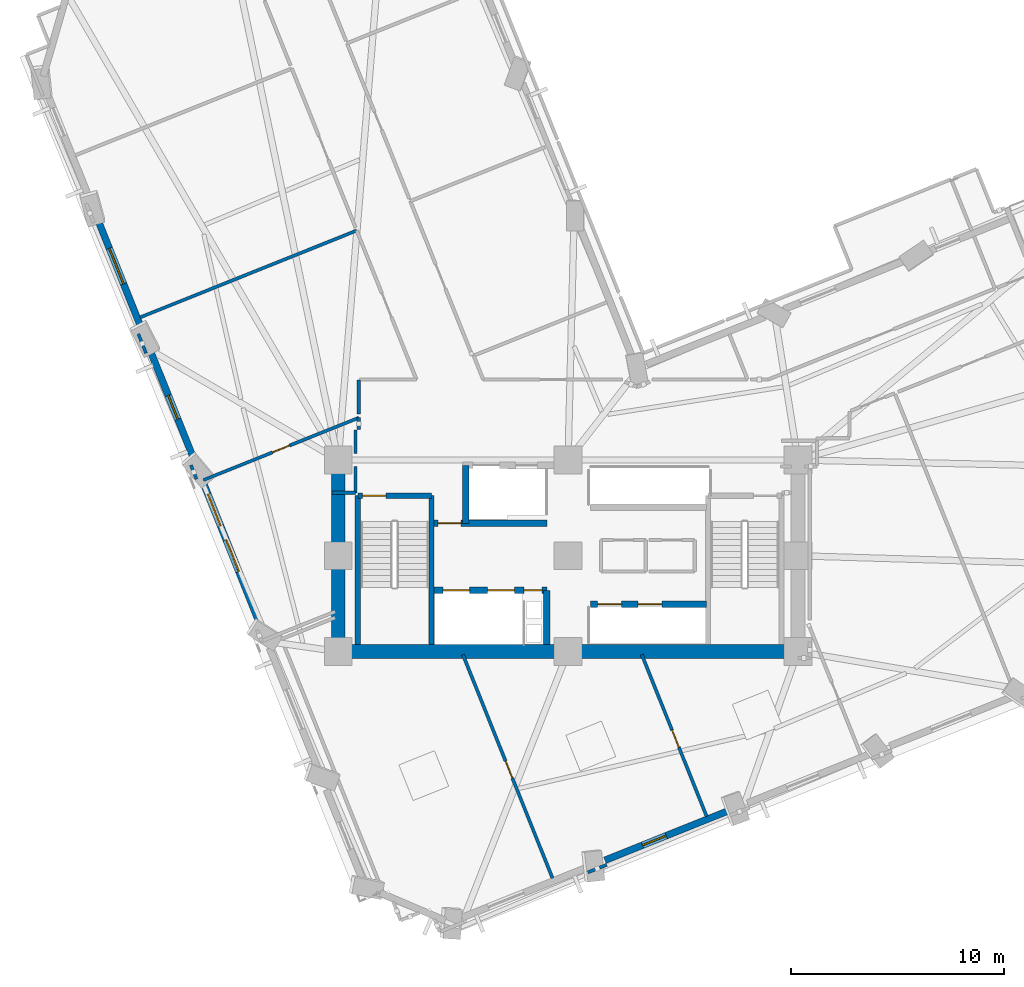
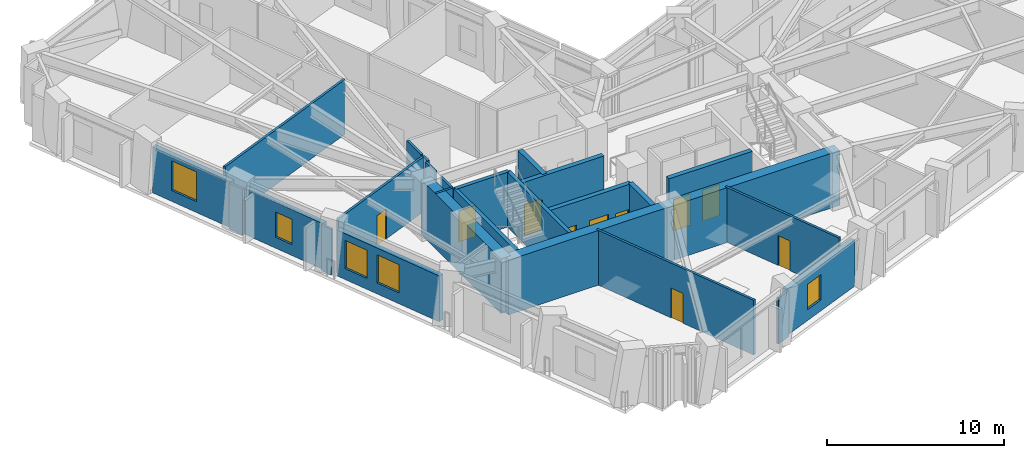
# One storey, part 8 of 16: 27 walls, 10 doors, 5 windows, 15 openings.
"""IFC4 building model written with IfcOpenShell, lengths in metres."""

from ifc_helpers import new_model, si_unit, direction, frame, frame_2d, origin, place, context, subcontext, project, spatial, rectangle, extrude, material, layer, layer_set, type_object, element, fill, save


model = new_model("IFC4")

# Units and contexts
model_context = context("Model", 3, precision=1e-05, world=origin(), true_north=direction((0.0, 1.0)))
body_context = subcontext(model_context, "Body", "Model", "MODEL_VIEW")
ifc_project = project(units=[si_unit("LENGTHUNIT", "METRE"), si_unit("AREAUNIT", "SQUARE_METRE"), si_unit("VOLUMEUNIT", "CUBIC_METRE"), si_unit("PLANEANGLEUNIT", "RADIAN"), si_unit("MASSUNIT", "GRAM", prefix="KILO")], contexts=[model_context])

# Site, building, storey
site_placement = place(None, origin())
site = spatial("IfcSite", under=ifc_project, at=site_placement, CompositionType="ELEMENT")
building_placement = place(site_placement, origin())
building = spatial("IfcBuilding", under=site, at=building_placement, Name="Gaonmaruhae Medical Tower", CompositionType="ELEMENT")
storey_placement = place(building_placement, frame((0.0, 0.0, 116.39990234375)))
storey = spatial("IfcBuildingStorey", under=building, at=storey_placement, Name="L27", CompositionType="ELEMENT", Elevation=116.39990234375)

# Walls
ifc_material_1 = material(Name="Concrete C60/75", Category="concrete")
ifc_layer_1 = layer(ifc_material_1, 0.64990234375)
ifc_layer_set_1 = layer_set([ifc_layer_1], Name="Concrete C60/75")
wall_type_1 = type_object("IfcWallType", Name="CW-650 Zone 2 Core Shear Wall", PredefinedType="SHEAR", material=ifc_layer_set_1)
for number, where, z_axis, x_axis, name in (
    (1, (14.0, 7.800048828125, 0.0), (0.0, 0.0, 1.0), (1.0, 0.0, 0.0), "L27 Core Shear Wall CSW-S1"),
    (2, (24.800048828125, 7.800048828125, 0.0), (0.0, 0.0, 1.0), (1.0, 0.0, 0.0), "L27 Core Shear Wall CSW-S2"),
):
    element("IfcWall", number, at=place(storey_placement, frame(where, z_axis=z_axis, x_axis=x_axis)), inside=storey, type_object=wall_type_1, Name=name, PredefinedType="SHEAR", context=body_context, shape_type="SweptSolid", body=[
        extrude(rectangle(XDim=10.800048828125, YDim=0.64990234375, at=frame_2d((5.39990234375, 0.0))), origin(), (0.0, 0.0, 1.0), 3.780029296875),
    ])
wall_1_placement = place(storey_placement, frame((14.0, 16.800048828125, 0.0), z_axis=(0.0, 0.0, 1.0), x_axis=(0.0, -1.0, 0.0)))
element("IfcWall", 3, at=wall_1_placement, inside=storey, type_object=wall_type_1, Name="L27 Core Shear Wall CSW-W1", PredefinedType="SHEAR", context=body_context, shape_type="SweptSolid", body=[
    extrude(rectangle(XDim=9.0, YDim=0.64990234375, at=frame_2d((4.5, 0.0))), origin(), (0.0, 0.0, 1.0), 3.780029296875),
])

# Wall, opening, window
ifc_material_2 = material(Name="Precast concrete C45/55", Category="concrete")
ifc_layer_2 = layer(ifc_material_2, 0.320068359375)
ifc_layer_set_2 = layer_set([ifc_layer_2], Name="Precast concrete C45/55")
wall_type_2 = type_object("IfcWallType", Name="EW-320 Lower Precast Masonry-Frame Facade Wall", PredefinedType="SOLIDWALL", material=ifc_layer_set_2)
wall_2_placement = place(storey_placement, frame((32.31689453125, 0.313232421875, 0.0), z_axis=(0.0, 0.0, 1.0), x_axis=(-0.928171186304, -0.372153528688, 0.0)))
wall_2 = element("IfcWall", 4, at=wall_2_placement, inside=storey, type_object=wall_type_2, Name="L27 Precast Masonry-Frame Wall S02-S03", PredefinedType="SOLIDWALL", context=body_context, shape_type="SweptSolid", body=[
    extrude(rectangle(XDim=6.234130859375, YDim=0.320068359375, at=frame_2d((3.1171875, 0.0))), origin(), (0.0, 0.0, 1.0), 3.1650390625),
])
opening_1_placement = place(wall_2_placement, frame((3.13232421875, 0.0, 0.75)))
opening_1 = element("IfcOpeningElement", 5, at=opening_1_placement, cuts=wall_2, Name="Opening WN-05", PredefinedType="OPENING", context=body_context, shape_type="SweptSolid", body=[
    extrude(rectangle(XDim=1.199951171875, YDim=1.75, at=frame_2d((0.60009765625, 0.875))), frame((0.0, 0.169921875, 0.0), z_axis=(0.0, -1.0, 0.0), x_axis=(1.0, 0.0, 0.0)), (0.0, 0.0, 1.0), 0.340087890625),
])
ifc_material_3 = material(Name="Anodised aluminium and Low-E double glazing", Category="aluminium")
window_type_1 = type_object("IfcWindowType", Name="WN-05 Support & Staff Punched Window 1200x1750", PartitioningType="SINGLE_PANEL", PredefinedType="WINDOW", material=ifc_material_3)
window_1_placement = place(opening_1_placement, origin())
window_1 = element("IfcWindow", 6, at=window_1_placement, inside=storey, type_object=window_type_1, Name="L27 Modular Facade Window S02", OverallHeight=1.75, OverallWidth=1.199951171875, PartitioningType="SINGLE_PANEL", PredefinedType="WINDOW", context=body_context, shape_type="SweptSolid", body=[
    extrude(rectangle(XDim=1.199951171875, YDim=1.75, at=frame_2d((0.60009765625, 0.875))), frame((0.0, 0.030029296875, 0.0), z_axis=(0.0, -1.0, 0.0), x_axis=(1.0, 0.0, 0.0)), (0.0, 0.0, 1.0), 0.06005859375),
])
fill(opening_1, window_1)

wall_3_placement = place(storey_placement, frame((4.8232421875, 22.810302734375, 0.0), z_axis=(0.0, 0.0, 1.0), x_axis=(-0.372175910941, 0.928162211747, 0.0)))
wall_3 = element("IfcWall", 7, at=wall_3_placement, inside=storey, type_object=wall_type_2, Name="L27 Precast Masonry-Frame Wall W02-W03", PredefinedType="SOLIDWALL", context=body_context, shape_type="SweptSolid", body=[
    extrude(rectangle(XDim=5.627685546875, YDim=0.320068359375, at=frame_2d((2.81396484375, 0.0))), origin(), (0.0, 0.0, 1.0), 3.1650390625),
])
opening_2_placement = place(wall_3_placement, frame((2.4384765625, 0.0, 0.75)))
opening_2 = element("IfcOpeningElement", 8, at=opening_2_placement, cuts=wall_3, Name="Opening WN-04", PredefinedType="OPENING", context=body_context, shape_type="SweptSolid", body=[
    extrude(rectangle(XDim=1.800048828125, YDim=2.050048828125, at=frame_2d((0.89990234375, 1.02490234375))), frame((0.0, 0.169921875, 0.0), z_axis=(0.0, -1.0, 0.0), x_axis=(1.0, 0.0, 0.0)), (0.0, 0.0, 1.0), 0.340087890625),
])
window_type_2 = type_object("IfcWindowType", Name="WN-04 Clinic & Consult Punched Window 1800x2050", PartitioningType="SINGLE_PANEL", PredefinedType="WINDOW", material=ifc_material_3)
window_2_placement = place(opening_2_placement, origin())
window_2 = element("IfcWindow", 9, at=window_2_placement, inside=storey, type_object=window_type_2, Name="L27 Modular Facade Window W02", OverallHeight=2.050048828125, OverallWidth=1.800048828125, PartitioningType="SINGLE_PANEL", PredefinedType="WINDOW", context=body_context, shape_type="SweptSolid", body=[
    extrude(rectangle(XDim=1.800048828125, YDim=2.050048828125, at=frame_2d((0.89990234375, 1.02490234375))), frame((0.0, 0.030029296875, 0.0), z_axis=(0.0, -1.0, 0.0), x_axis=(1.0, 0.0, 0.0)), (0.0, 0.0, 1.0), 0.06005859375),
])
fill(opening_2, window_2)

wall_4_placement = place(storey_placement, frame((7.29638671875, 16.642578125, 0.0), z_axis=(0.0, 0.0, 1.0), x_axis=(-0.372178527246, 0.928161162653, 0.0)))
wall_4 = element("IfcWall", 10, at=wall_4_placement, inside=storey, type_object=wall_type_2, Name="L27 Precast Masonry-Frame Wall W03-W04", PredefinedType="SOLIDWALL", context=body_context, shape_type="SweptSolid", body=[
    extrude(rectangle(XDim=5.662353515625, YDim=0.320068359375, at=frame_2d((2.8310546875, 0.0))), origin(), (0.0, 0.0, 1.0), 3.1650390625),
])
opening_3_placement = place(wall_4_placement, frame((2.22998046875, 0.0, 0.75)))
opening_3 = element("IfcOpeningElement", 11, at=opening_3_placement, cuts=wall_4, Name="Opening WN-05", PredefinedType="OPENING", context=body_context, shape_type="SweptSolid", body=[
    extrude(rectangle(XDim=1.199951171875, YDim=1.75, at=frame_2d((0.60009765625, 0.875))), frame((0.0, 0.169921875, 0.0), z_axis=(0.0, -1.0, 0.0), x_axis=(1.0, 0.0, 0.0)), (0.0, 0.0, 1.0), 0.340087890625),
])
window_3_placement = place(opening_3_placement, origin())
window_3 = element("IfcWindow", 12, at=window_3_placement, inside=storey, type_object=window_type_1, Name="L27 Modular Facade Window W03", OverallHeight=1.75, OverallWidth=1.199951171875, PartitioningType="SINGLE_PANEL", PredefinedType="WINDOW", context=body_context, shape_type="SweptSolid", body=[
    extrude(rectangle(XDim=1.199951171875, YDim=1.75, at=frame_2d((0.60009765625, 0.875))), frame((0.0, 0.030029296875, 0.0), z_axis=(0.0, -1.0, 0.0), x_axis=(1.0, 0.0, 0.0)), (0.0, 0.0, 1.0), 0.06005859375),
])
fill(opening_3, window_3)

# Wall, openings, windows
wall_5_placement = place(storey_placement, frame((10.40478515625, 8.890380859375, 0.0), z_axis=(0.0, 0.0, 1.0), x_axis=(-0.372168327293, 0.928165252614, 0.0)))
wall_5 = element("IfcWall", 13, at=wall_5_placement, inside=storey, type_object=wall_type_2, Name="L27 Precast Masonry-Frame Wall W04-W05", PredefinedType="SOLIDWALL", context=body_context, shape_type="SweptSolid", body=[
    extrude(rectangle(XDim=7.3603515625, YDim=0.320068359375, at=frame_2d((3.68017578125, 0.0))), origin(), (0.0, 0.0, 1.0), 3.1650390625),
])
opening_4_placement = place(wall_5_placement, frame((2.880859375, 0.0, 0.75)))
opening_4 = element("IfcOpeningElement", 14, at=opening_4_placement, cuts=wall_5, Name="Opening WN-01", PredefinedType="OPENING", context=body_context, shape_type="SweptSolid", body=[
    extrude(rectangle(XDim=1.60009765625, YDim=1.949951171875, at=frame_2d((0.800048828125, 0.97509765625))), frame((0.0, 0.169921875, 0.0), z_axis=(0.0, -1.0, 0.0), x_axis=(1.0, 0.0, 0.0)), (0.0, 0.0, 1.0), 0.340087890625),
])
opening_5_placement = place(wall_5_placement, frame((5.185546875, 0.0, 0.75)))
opening_5 = element("IfcOpeningElement", 15, at=opening_5_placement, cuts=wall_5, Name="Opening WN-01", PredefinedType="OPENING", context=body_context, shape_type="SweptSolid", body=[
    extrude(rectangle(XDim=1.60009765625, YDim=1.949951171875, at=frame_2d((0.800048828125, 0.97509765625))), frame((0.0, 0.169921875, 0.0), z_axis=(0.0, -1.0, 0.0), x_axis=(1.0, 0.0, 0.0)), (0.0, 0.0, 1.0), 0.340087890625),
])
window_type_3 = type_object("IfcWindowType", Name="WN-01 Ward Punched Acoustic Window 1600x1950", PartitioningType="SINGLE_PANEL", PredefinedType="WINDOW", material=ifc_material_3)
window_4_placement = place(opening_4_placement, origin())
window_4 = element("IfcWindow", 16, at=window_4_placement, inside=storey, type_object=window_type_3, Name="L27 Modular Facade Window W04", OverallHeight=1.949951171875, OverallWidth=1.60009765625, PartitioningType="SINGLE_PANEL", PredefinedType="WINDOW", context=body_context, shape_type="SweptSolid", body=[
    extrude(rectangle(XDim=1.60009765625, YDim=1.949951171875, at=frame_2d((0.800048828125, 0.97509765625))), frame((0.0, 0.030029296875, 0.0), z_axis=(0.0, -1.0, 0.0), x_axis=(1.0, 0.0, 0.0)), (0.0, 0.0, 1.0), 0.06005859375),
])
fill(opening_4, window_4)
window_5_placement = place(opening_5_placement, origin())
window_5 = element("IfcWindow", 17, at=window_5_placement, inside=storey, type_object=window_type_3, Name="L27 Modular Facade Window W04B", OverallHeight=1.949951171875, OverallWidth=1.60009765625, PartitioningType="SINGLE_PANEL", PredefinedType="WINDOW", context=body_context, shape_type="SweptSolid", body=[
    extrude(rectangle(XDim=1.60009765625, YDim=1.949951171875, at=frame_2d((0.800048828125, 0.97509765625))), frame((0.0, 0.030029296875, 0.0), z_axis=(0.0, -1.0, 0.0), x_axis=(1.0, 0.0, 0.0)), (0.0, 0.0, 1.0), 0.06005859375),
])
fill(opening_5, window_5)

# Wall, opening, door
ifc_material_4 = material(Name="Gypsum board partition", Category="gypsum")
ifc_layer_3 = layer(ifc_material_4, 0.14990234375)
ifc_layer_set_3 = layer_set([ifc_layer_3], Name="Gypsum board partition")
wall_type_3 = type_object("IfcWallType", Name="PW-150 Rated Clinical Corridor Partition", PredefinedType="PARTITIONING", material=ifc_layer_set_3)
wall_6_placement = place(storey_placement, frame((19.860107421875, 7.65087890625, 0.0), z_axis=(0.0, 0.0, 1.0), x_axis=(0.372186898662, -0.928157805798, 0.0)))
wall_6 = element("IfcWall", 18, at=wall_6_placement, inside=storey, type_object=wall_type_3, Name="L27 Interior Partition L27-SUP01-11", PredefinedType="PARTITIONING", context=body_context, shape_type="SweptSolid", body=[
    extrude(rectangle(XDim=11.3115234375, YDim=0.14990234375, at=frame_2d((5.65576171875, 0.0))), origin(), (0.0, 0.0, 1.0), 3.780029296875),
])
opening_6_placement = place(wall_6_placement, frame((5.3876953125, 0.0, 0.0)))
opening_6 = element("IfcOpeningElement", 19, at=opening_6_placement, cuts=wall_6, Name="Opening AD-01", PredefinedType="OPENING", context=body_context, shape_type="SweptSolid", body=[
    extrude(rectangle(XDim=0.860107421875, YDim=2.06005859375, at=frame_2d((0.43017578125, 1.030029296875))), frame((0.0, 0.0849609375, 0.0), z_axis=(0.0, -1.0, 0.0), x_axis=(1.0, 0.0, 0.0)), (0.0, 0.0, 1.0), 0.169921875),
])
ifc_material_5 = material(Name="Powder-coated steel access door", Category="steel")
door_type_1 = type_object("IfcDoorType", Name="AD-01 Riser & Closet Access Fire Door 860x2060", OperationType="NOTDEFINED", PredefinedType="DOOR", material=ifc_material_5)
door_1_placement = place(opening_6_placement, origin())
door_1 = element("IfcDoor", 20, at=door_1_placement, inside=storey, type_object=door_type_1, Name="L27 Clinical Biomedical Charting Office Sliding Door", OperationType="SLIDING_TO_LEFT", OverallHeight=2.06005859375, OverallWidth=0.860107421875, PredefinedType="DOOR", context=body_context, shape_type="SweptSolid", body=[
    extrude(rectangle(XDim=0.860107421875, YDim=2.06005859375, at=frame_2d((0.43017578125, 1.030029296875))), frame((0.0, 0.02490234375, 0.0), z_axis=(0.0, -1.0, 0.0), x_axis=(1.0, 0.0, 0.0)), (0.0, 0.0, 1.0), 0.050048828125),
])
fill(opening_6, door_1)

# Wall
wall_7_placement = place(storey_placement, frame((26.615966796875, -2.219970703125, 0.0), z_axis=(0.0, 0.0, 1.0), x_axis=(-0.927838444598, -0.372982332996, 0.0)))
element("IfcWall", 21, at=wall_7_placement, inside=storey, type_object=wall_type_3, Name="L27 Interior Partition L27-SUP02-15", PredefinedType="PARTITIONING", context=body_context, shape_type="SweptSolid", body=[
    extrude(rectangle(XDim=0.95166015625, YDim=0.14990234375, at=frame_2d((0.475830078125, 0.0))), origin(), (0.0, 0.0, 1.0), 3.1650390625),
])

# Wall, opening, door
wall_8_placement = place(storey_placement, frame((28.263916015625, 7.65087890625, 0.0), z_axis=(0.0, 0.0, 1.0), x_axis=(0.372208328406, -0.928149212285, 0.0)))
wall_8 = element("IfcWall", 22, at=wall_8_placement, inside=storey, type_object=wall_type_3, Name="L27 Interior Partition L27-SUP02-16", PredefinedType="PARTITIONING", context=body_context, shape_type="SweptSolid", body=[
    extrude(rectangle(XDim=8.18408203125, YDim=0.14990234375, at=frame_2d((4.092041015625, 0.0))), origin(), (0.0, 0.0, 1.0), 3.780029296875),
])
opening_7_placement = place(wall_8_placement, frame((3.82373046875, 0.0, 0.0)))
opening_7 = element("IfcOpeningElement", 23, at=opening_7_placement, cuts=wall_8, Name="Opening AD-01", PredefinedType="OPENING", context=body_context, shape_type="SweptSolid", body=[
    extrude(rectangle(XDim=0.860107421875, YDim=2.06005859375, at=frame_2d((0.43017578125, 1.030029296875))), frame((0.0, 0.0849609375, 0.0), z_axis=(0.0, -1.0, 0.0), x_axis=(1.0, 0.0, 0.0)), (0.0, 0.0, 1.0), 0.169921875),
])
door_2_placement = place(opening_7_placement, origin())
door_2 = element("IfcDoor", 24, at=door_2_placement, inside=storey, type_object=door_type_1, Name="L27 Clinical Biomedical Charting Office Sliding Door", OperationType="SLIDING_TO_LEFT", OverallHeight=2.06005859375, OverallWidth=0.860107421875, PredefinedType="DOOR", context=body_context, shape_type="SweptSolid", body=[
    extrude(rectangle(XDim=0.860107421875, YDim=2.06005859375, at=frame_2d((0.43017578125, 1.030029296875))), frame((0.0, 0.02490234375, 0.0), z_axis=(0.0, -1.0, 0.0), x_axis=(1.0, 0.0, 0.0)), (0.0, 0.0, 1.0), 0.050048828125),
])
fill(opening_7, door_2)

# Walls
wall_9_placement = place(storey_placement, frame((14.820068359375, 18.199951171875, 0.0), z_axis=(0.0, 0.0, 1.0), x_axis=(0.0, -1.0, 0.0)))
element("IfcWall", 25, at=wall_9_placement, inside=storey, type_object=wall_type_3, Name="L27 Interior Partition L27-WOF07-40", PredefinedType="PARTITIONING", context=body_context, shape_type="SweptSolid", body=[
    extrude(rectangle(XDim=1.091064453125, YDim=0.14990234375, at=frame_2d((0.54541015625, 0.0))), origin(), (0.0, 0.0, 1.0), 3.780029296875),
])
wall_10_placement = place(storey_placement, frame((14.820068359375, 16.490966796875, 0.0), z_axis=(0.0, 0.0, 1.0), x_axis=(0.0, -1.0, 0.0)))
element("IfcWall", 26, at=wall_10_placement, inside=storey, type_object=wall_type_3, Name="L27 Interior Partition L27-WOF07-41", PredefinedType="PARTITIONING", context=body_context, shape_type="SweptSolid", body=[
    extrude(rectangle(XDim=1.23095703125, YDim=0.14990234375, at=frame_2d((0.615478515625, 0.0))), origin(), (0.0, 0.0, 1.0), 3.780029296875),
])
wall_11_placement = place(storey_placement, frame((14.820068359375, 15.260009765625, 0.0), z_axis=(0.0, 0.0, 1.0), x_axis=(-1.0, 0.0, 0.0)))
element("IfcWall", 27, at=wall_11_placement, inside=storey, type_object=wall_type_3, Name="L27 Interior Partition L27-WOF07-42", PredefinedType="PARTITIONING", context=body_context, shape_type="SweptSolid", body=[
    extrude(rectangle(XDim=1.1201171875, YDim=0.14990234375, at=frame_2d((0.56005859375, 0.0))), origin(), (0.0, 0.0, 1.0), 3.780029296875),
])

# Wall, opening, door
wall_12_placement = place(storey_placement, frame((7.669921875, 15.85693359375, 0.0), z_axis=(0.0, 0.0, 1.0), x_axis=(0.928170242588, 0.372155882358, 0.0)))
wall_12 = element("IfcWall", 28, at=wall_12_placement, inside=storey, type_object=wall_type_3, Name="L27 Interior Partition L27-WOF07-45", PredefinedType="PARTITIONING", context=body_context, shape_type="SweptSolid", body=[
    extrude(rectangle(XDim=7.864990234375, YDim=0.14990234375, at=frame_2d((3.9326171875, 0.0))), origin(), (0.0, 0.0, 1.0), 3.780029296875),
])
opening_8_placement = place(wall_12_placement, frame((3.50244140625, 0.0, 0.0)))
opening_8 = element("IfcOpeningElement", 29, at=opening_8_placement, cuts=wall_12, Name="Opening AD-01", PredefinedType="OPENING", context=body_context, shape_type="SweptSolid", body=[
    extrude(rectangle(XDim=0.860107421875, YDim=2.06005859375, at=frame_2d((0.43017578125, 1.030029296875))), frame((0.0, 0.0849609375, 0.0), z_axis=(0.0, -1.0, 0.0), x_axis=(1.0, 0.0, 0.0)), (0.0, 0.0, 1.0), 0.169921875),
])
door_3_placement = place(opening_8_placement, origin())
door_3 = element("IfcDoor", 30, at=door_3_placement, inside=storey, type_object=door_type_1, Name="L27 Ward Physician Reporting Office Sliding Door", OperationType="SLIDING_TO_LEFT", OverallHeight=2.06005859375, OverallWidth=0.860107421875, PredefinedType="DOOR", context=body_context, shape_type="SweptSolid", body=[
    extrude(rectangle(XDim=0.860107421875, YDim=2.06005859375, at=frame_2d((0.43017578125, 1.030029296875))), frame((0.0, 0.02490234375, 0.0), z_axis=(0.0, -1.0, 0.0), x_axis=(1.0, 0.0, 0.0)), (0.0, 0.0, 1.0), 0.050048828125),
])
fill(opening_8, door_3)

# Walls
wall_13_placement = place(storey_placement, frame((14.969970703125, 18.783935546875, 0.0), z_axis=(0.0, 0.0, 1.0), x_axis=(0.0, -1.0, 0.0)))
element("IfcWall", 31, at=wall_13_placement, inside=storey, type_object=wall_type_3, Name="L27 Interior Partition L27-WOF07-46", PredefinedType="PARTITIONING", context=body_context, shape_type="SweptSolid", body=[
    extrude(rectangle(XDim=0.553955078125, YDim=0.14990234375, at=frame_2d((0.27685546875, 0.0))), origin(), (0.0, 0.0, 1.0), 3.780029296875),
])
wall_14_placement = place(storey_placement, frame((14.969970703125, 20.550048828125, 0.0), z_axis=(0.0, 0.0, 1.0), x_axis=(0.0, -1.0, 0.0)))
element("IfcWall", 32, at=wall_14_placement, inside=storey, type_object=wall_type_3, Name="L27 Interior Partition L27-WOF08-47", PredefinedType="PARTITIONING", context=body_context, shape_type="SweptSolid", body=[
    extrude(rectangle(XDim=1.593017578125, YDim=0.14990234375, at=frame_2d((0.79638671875, 0.0))), origin(), (0.0, 0.0, 1.0), 3.780029296875),
])
wall_15_placement = place(storey_placement, frame((7.346923828125, 15.89990234375, 0.0), z_axis=(0.0, 0.0, 1.0), x_axis=(-0.372757689905, 0.927928717422, 0.0)))
element("IfcWall", 33, at=wall_15_placement, inside=storey, type_object=wall_type_3, Name="L27 Interior Partition L27-WOF08-48", PredefinedType="PARTITIONING", context=body_context, shape_type="SweptSolid", body=[
    extrude(rectangle(XDim=0.7080078125, YDim=0.14990234375, at=frame_2d((0.35400390625, 0.0))), origin(), (0.0, 0.0, 1.0), 3.1650390625),
])
wall_16_placement = place(storey_placement, frame((4.97607421875, 21.81201171875, 0.0), z_axis=(0.0, 0.0, 1.0), x_axis=(-0.372032450778, 0.928219723755, 0.0)))
element("IfcWall", 34, at=wall_16_placement, inside=storey, type_object=wall_type_3, Name="L27 Interior Partition L27-WOF08-49", PredefinedType="PARTITIONING", context=body_context, shape_type="SweptSolid", body=[
    extrude(rectangle(XDim=0.983642578125, YDim=0.14990234375, at=frame_2d((0.49169921875, 0.0))), origin(), (0.0, 0.0, 1.0), 3.1650390625),
])
wall_17_placement = place(storey_placement, frame((4.693115234375, 23.498046875, 0.0), z_axis=(0.0, 0.0, 1.0), x_axis=(0.928153869295, 0.372196715344, 0.0)))
element("IfcWall", 35, at=wall_17_placement, inside=storey, type_object=wall_type_3, Name="L27 Interior Partition L27-WOF08-50", PredefinedType="PARTITIONING", context=body_context, shape_type="SweptSolid", body=[
    extrude(rectangle(XDim=10.96484375, YDim=0.14990234375, at=frame_2d((5.482421875, 0.0))), origin(), (0.0, 0.0, 1.0), 3.780029296875),
])

# Wall, opening, door
ifc_material_6 = material(Name="Concrete C50/60", Category="concrete")
ifc_layer_4 = layer(ifc_material_6, 0.239990234375)
ifc_layer_set_4 = layer_set([ifc_layer_4], Name="Concrete C50/60")
wall_type_4 = type_object("IfcWallType", Name="SW-240 Dogleg Stair Tight Shaft Wall", PredefinedType="SOLIDWALL", material=ifc_layer_set_4)
wall_18_placement = place(storey_placement, frame((14.919921875, 15.1201171875, 0.0), z_axis=(0.0, 0.0, 1.0), x_axis=(1.0, 0.0, 0.0)))
wall_18 = element("IfcWall", 36, at=wall_18_placement, inside=storey, type_object=wall_type_4, Name="L27 ST-01 Stair Shaft Wall SHW-ST-01-N", PredefinedType="SOLIDWALL", context=body_context, shape_type="SweptSolid", body=[
    extrude(rectangle(XDim=3.4599609375, YDim=0.239990234375, at=frame_2d((1.72998046875, 0.0))), origin(), (0.0, 0.0, 1.0), 3.780029296875),
])
opening_9_placement = place(wall_18_placement, frame((0.219970703125, 0.0, 0.0)))
opening_9 = element("IfcOpeningElement", 37, at=opening_9_placement, cuts=wall_18, Name="Opening FD-01", PredefinedType="OPENING", context=body_context, shape_type="SweptSolid", body=[
    extrude(rectangle(XDim=1.10009765625, YDim=2.14990234375, at=frame_2d((0.550048828125, 1.074951171875))), frame((0.0, 0.1298828125, 0.0), z_axis=(0.0, -1.0, 0.0), x_axis=(1.0, 0.0, 0.0)), (0.0, 0.0, 1.0), 0.260009765625),
])
ifc_material_7 = material(Name="Powder-coated steel fire door", Category="steel")
door_type_2 = type_object("IfcDoorType", Name="FD-01 Escape Stair Protected Fire Door 1100x2150", OperationType="NOTDEFINED", PredefinedType="DOOR", material=ifc_material_7)
door_4_placement = place(opening_9_placement, origin())
door_4 = element("IfcDoor", 38, at=door_4_placement, inside=storey, type_object=door_type_2, Name="L27 ST-01 Protected Escape Stair Door", OperationType="SINGLE_SWING_LEFT", OverallHeight=2.14990234375, OverallWidth=1.10009765625, PredefinedType="DOOR", context=body_context, shape_type="SweptSolid", body=[
    extrude(rectangle(XDim=1.10009765625, YDim=2.14990234375, at=frame_2d((0.550048828125, 1.074951171875))), frame((0.0, 0.02490234375, 0.0), z_axis=(0.0, -1.0, 0.0), x_axis=(1.0, 0.0, 0.0)), (0.0, 0.0, 1.0), 0.050048828125),
])
fill(opening_9, door_4)

# Walls
for number, where, z_axis, x_axis, name in (
    (39, (18.3798828125, 15.1201171875, 0.0), (0.0, 0.0, 1.0), (0.0, -1.0, 0.0), "L27 ST-01 Stair Shaft Wall SHW-ST-01-E"),
    (40, (14.919921875, 8.125, 0.0), (0.0, 0.0, 1.0), (0.0, 1.0, 0.0), "L27 ST-01 Stair Shaft Wall SHW-ST-01-W"),
):
    element("IfcWall", number, at=place(storey_placement, frame(where, z_axis=z_axis, x_axis=x_axis)), inside=storey, type_object=wall_type_4, Name=name, PredefinedType="SOLIDWALL", context=body_context, shape_type="SweptSolid", body=[
        extrude(rectangle(XDim=6.9951171875, YDim=0.239990234375, at=frame_2d((3.49755859375, 0.0))), origin(), (0.0, 0.0, 1.0), 3.780029296875),
    ])

# Wall, openings, doors
ifc_layer_5 = layer(ifc_material_6, 0.300048828125)
ifc_layer_set_5 = layer_set([ifc_layer_5], Name="Concrete C50/60")
wall_type_5 = type_object("IfcWallType", Name="SW-300 Stair & Lift Hoistway Shaft Wall", PredefinedType="SOLIDWALL", material=ifc_layer_set_5)
wall_19_placement = place(storey_placement, frame((18.5, 10.679931640625, 0.0), z_axis=(0.0, 0.0, 1.0), x_axis=(1.0, 0.0, 0.0)))
wall_19 = element("IfcWall", 41, at=wall_19_placement, inside=storey, type_object=wall_type_5, Name="L27 Shaft Enclosure Wall SHW-FFN", PredefinedType="SOLIDWALL", context=body_context, shape_type="SweptSolid", body=[
    extrude(rectangle(XDim=5.300048828125, YDim=0.300048828125, at=frame_2d((2.64990234375, 0.0))), origin(), (0.0, 0.0, 1.0), 3.780029296875),
])
opening_10_placement = place(wall_19_placement, frame((4.219970703125, 0.0, 0.0)))
opening_10 = element("IfcOpeningElement", 42, at=opening_10_placement, cuts=wall_19, Name="Opening AD-01", PredefinedType="OPENING", context=body_context, shape_type="SweptSolid", body=[
    extrude(rectangle(XDim=0.860107421875, YDim=2.06005859375, at=frame_2d((0.43017578125, 1.030029296875))), frame((0.0, 0.16015625, 0.0), z_axis=(0.0, -1.0, 0.0), x_axis=(1.0, 0.0, 0.0)), (0.0, 0.0, 1.0), 0.320068359375),
])
opening_11_placement = place(wall_19_placement, frame((0.425048828125, 0.0, 0.0)))
opening_11 = element("IfcOpeningElement", 43, at=opening_11_placement, cuts=wall_19, Name="Opening LD-F1", PredefinedType="OPENING", context=body_context, shape_type="SweptSolid", body=[
    extrude(rectangle(XDim=1.25, YDim=2.179931640625, at=frame_2d((0.625, 1.08984375))), frame((0.0, 0.16015625, 0.0), z_axis=(0.0, -1.0, 0.0), x_axis=(1.0, 0.0, 0.0)), (0.0, 0.0, 1.0), 0.320068359375),
])
opening_12_placement = place(wall_19_placement, frame((2.52490234375, 0.0, 0.0)))
opening_12 = element("IfcOpeningElement", 44, at=opening_12_placement, cuts=wall_19, Name="Opening LD-F1", PredefinedType="OPENING", context=body_context, shape_type="SweptSolid", body=[
    extrude(rectangle(XDim=1.25, YDim=2.179931640625, at=frame_2d((0.625, 1.08984375))), frame((0.0, 0.16015625, 0.0), z_axis=(0.0, -1.0, 0.0), x_axis=(1.0, 0.0, 0.0)), (0.0, 0.0, 1.0), 0.320068359375),
])
door_5_placement = place(opening_10_placement, origin())
door_5 = element("IfcDoor", 45, at=door_5_placement, inside=storey, type_object=door_type_1, Name="L27 Medical Gas and MEP Riser Access Door", OperationType="SINGLE_SWING_RIGHT", OverallHeight=2.06005859375, OverallWidth=0.860107421875, PredefinedType="DOOR", context=body_context, shape_type="SweptSolid", body=[
    extrude(rectangle(XDim=0.860107421875, YDim=2.06005859375, at=frame_2d((0.43017578125, 1.030029296875))), frame((0.0, 0.02490234375, 0.0), z_axis=(0.0, -1.0, 0.0), x_axis=(1.0, 0.0, 0.0)), (0.0, 0.0, 1.0), 0.050048828125),
])
fill(opening_10, door_5)
ifc_material_8 = material(Name="Brushed stainless steel 316L landing door", Category="steel")
door_type_3 = type_object("IfcDoorType", Name="LD-F1 Firefighting & Bed Lift Sliding Landing Door 1250x2180", OperationType="NOTDEFINED", PredefinedType="DOOR", material=ifc_material_8)
door_6_placement = place(opening_11_placement, origin())
door_6 = element("IfcDoor", 46, at=door_6_placement, inside=storey, type_object=door_type_3, Name="L27 Firefighting Lift Landing Door FFL-01", OperationType="DOUBLE_DOOR_SLIDING", OverallHeight=2.179931640625, OverallWidth=1.25, PredefinedType="DOOR", context=body_context, shape_type="SweptSolid", body=[
    extrude(rectangle(XDim=1.25, YDim=2.179931640625, at=frame_2d((0.625, 1.08984375))), frame((0.0, 0.02490234375, 0.0), z_axis=(0.0, -1.0, 0.0), x_axis=(1.0, 0.0, 0.0)), (0.0, 0.0, 1.0), 0.050048828125),
])
fill(opening_11, door_6)
door_7_placement = place(opening_12_placement, origin())
door_7 = element("IfcDoor", 47, at=door_7_placement, inside=storey, type_object=door_type_3, Name="L27 Firefighting Lift Landing Door FFL-02", OperationType="DOUBLE_DOOR_SLIDING", OverallHeight=2.179931640625, OverallWidth=1.25, PredefinedType="DOOR", context=body_context, shape_type="SweptSolid", body=[
    extrude(rectangle(XDim=1.25, YDim=2.179931640625, at=frame_2d((0.625, 1.08984375))), frame((0.0, 0.02490234375, 0.0), z_axis=(0.0, -1.0, 0.0), x_axis=(1.0, 0.0, 0.0)), (0.0, 0.0, 1.0), 0.050048828125),
])
fill(opening_12, door_7)

# Wall, opening, door
wall_20_placement = place(storey_placement, frame((18.5, 13.820068359375, 0.0), z_axis=(0.0, 0.0, 1.0), x_axis=(1.0, 0.0, 0.0)))
wall_20 = element("IfcWall", 48, at=wall_20_placement, inside=storey, type_object=wall_type_5, Name="L27 Shaft Enclosure Wall SHW-FFL", PredefinedType="SOLIDWALL", context=body_context, shape_type="SweptSolid", body=[
    extrude(rectangle(XDim=5.300048828125, YDim=0.300048828125, at=frame_2d((2.64990234375, 0.0))), origin(), (0.0, 0.0, 1.0), 3.780029296875),
])
opening_13_placement = place(wall_20_placement, frame((0.179931640625, 0.0, 0.0)))
opening_13 = element("IfcOpeningElement", 49, at=opening_13_placement, cuts=wall_20, Name="Opening FD-01", PredefinedType="OPENING", context=body_context, shape_type="SweptSolid", body=[
    extrude(rectangle(XDim=1.10009765625, YDim=2.14990234375, at=frame_2d((0.550048828125, 1.074951171875))), frame((0.0, 0.16015625, 0.0), z_axis=(0.0, -1.0, 0.0), x_axis=(1.0, 0.0, 0.0)), (0.0, 0.0, 1.0), 0.320068359375),
])
door_8_placement = place(opening_13_placement, origin())
door_8 = element("IfcDoor", 50, at=door_8_placement, inside=storey, type_object=door_type_2, Name="L27 Firefighting Lobby Smoke Door", OperationType="SINGLE_SWING_LEFT", OverallHeight=2.14990234375, OverallWidth=1.10009765625, PredefinedType="DOOR", context=body_context, shape_type="SweptSolid", body=[
    extrude(rectangle(XDim=1.10009765625, YDim=2.14990234375, at=frame_2d((0.550048828125, 1.074951171875))), frame((0.0, 0.02490234375, 0.0), z_axis=(0.0, -1.0, 0.0), x_axis=(1.0, 0.0, 0.0)), (0.0, 0.0, 1.0), 0.050048828125),
])
fill(opening_13, door_8)

# Walls
wall_21_placement = place(storey_placement, frame((23.800048828125, 8.125, 0.0), z_axis=(0.0, 0.0, 1.0), x_axis=(0.0, 1.0, 0.0)))
element("IfcWall", 51, at=wall_21_placement, inside=storey, type_object=wall_type_5, Name="L27 Shaft Enclosure Wall SHW-FFE", PredefinedType="SOLIDWALL", context=body_context, shape_type="SweptSolid", body=[
    extrude(rectangle(XDim=2.554931640625, YDim=0.300048828125, at=frame_2d((1.27734375, 0.0))), origin(), (0.0, 0.0, 1.0), 3.780029296875),
])
wall_22_placement = place(storey_placement, frame((20.0, 13.820068359375, 0.0), z_axis=(0.0, 0.0, 1.0), x_axis=(0.0, 1.0, 0.0)))
element("IfcWall", 52, at=wall_22_placement, inside=storey, type_object=wall_type_5, Name="L27 Shaft Enclosure Wall SHW-BDW", PredefinedType="SOLIDWALL", context=body_context, shape_type="SweptSolid", body=[
    extrude(rectangle(XDim=2.72998046875, YDim=0.300048828125, at=frame_2d((1.364990234375, 0.0))), origin(), (0.0, 0.0, 1.0), 3.780029296875),
])

# Wall, openings, doors
wall_23_placement = place(storey_placement, frame((25.85009765625, 10.02001953125, 0.0), z_axis=(0.0, 0.0, 1.0), x_axis=(1.0, 0.0, 0.0)))
wall_23 = element("IfcWall", 53, at=wall_23_placement, inside=storey, type_object=wall_type_5, Name="L27 Shaft Enclosure Wall SHW-PLS", PredefinedType="SOLIDWALL", context=body_context, shape_type="SweptSolid", body=[
    extrude(rectangle(XDim=5.449951171875, YDim=0.300048828125, at=frame_2d((2.72509765625, 0.0))), origin(), (0.0, 0.0, 1.0), 3.780029296875),
])
opening_14_placement = place(wall_23_placement, frame((0.340087890625, 0.0, 0.0)))
opening_14 = element("IfcOpeningElement", 54, at=opening_14_placement, cuts=wall_23, Name="Opening LD-P1", PredefinedType="OPENING", context=body_context, shape_type="SweptSolid", body=[
    extrude(rectangle(XDim=1.1201171875, YDim=2.14990234375, at=frame_2d((0.56005859375, 1.074951171875))), frame((0.0, 0.16015625, 0.0), z_axis=(0.0, -1.0, 0.0), x_axis=(1.0, 0.0, 0.0)), (0.0, 0.0, 1.0), 0.320068359375),
])
opening_15_placement = place(wall_23_placement, frame((2.239990234375, 0.0, 0.0)))
opening_15 = element("IfcOpeningElement", 55, at=opening_15_placement, cuts=wall_23, Name="Opening LD-P1", PredefinedType="OPENING", context=body_context, shape_type="SweptSolid", body=[
    extrude(rectangle(XDim=1.1201171875, YDim=2.14990234375, at=frame_2d((0.56005859375, 1.074951171875))), frame((0.0, 0.16015625, 0.0), z_axis=(0.0, -1.0, 0.0), x_axis=(1.0, 0.0, 0.0)), (0.0, 0.0, 1.0), 0.320068359375),
])
ifc_material_9 = material(Name="Brushed stainless steel 304 landing door", Category="steel")
door_type_4 = type_object("IfcDoorType", Name="LD-P1 Passenger Lift Sliding Landing Door 1120x2150", OperationType="NOTDEFINED", PredefinedType="DOOR", material=ifc_material_9)
door_9_placement = place(opening_14_placement, origin())
door_9 = element("IfcDoor", 56, at=door_9_placement, inside=storey, type_object=door_type_4, Name="L27 Passenger Lift Landing Door PL-L1", OperationType="DOUBLE_DOOR_SLIDING", OverallHeight=2.14990234375, OverallWidth=1.1201171875, PredefinedType="DOOR", context=body_context, shape_type="SweptSolid", body=[
    extrude(rectangle(XDim=1.1201171875, YDim=2.14990234375, at=frame_2d((0.56005859375, 1.074951171875))), frame((0.0, 0.02490234375, 0.0), z_axis=(0.0, -1.0, 0.0), x_axis=(1.0, 0.0, 0.0)), (0.0, 0.0, 1.0), 0.050048828125),
])
fill(opening_14, door_9)
door_10_placement = place(opening_15_placement, origin())
door_10 = element("IfcDoor", 57, at=door_10_placement, inside=storey, type_object=door_type_4, Name="L27 Passenger Lift Landing Door PL-L2", OperationType="DOUBLE_DOOR_SLIDING", OverallHeight=2.14990234375, OverallWidth=1.1201171875, PredefinedType="DOOR", context=body_context, shape_type="SweptSolid", body=[
    extrude(rectangle(XDim=1.1201171875, YDim=2.14990234375, at=frame_2d((0.56005859375, 1.074951171875))), frame((0.0, 0.02490234375, 0.0), z_axis=(0.0, -1.0, 0.0), x_axis=(1.0, 0.0, 0.0)), (0.0, 0.0, 1.0), 0.050048828125),
])
fill(opening_15, door_10)

save(model, "model.ifc")
